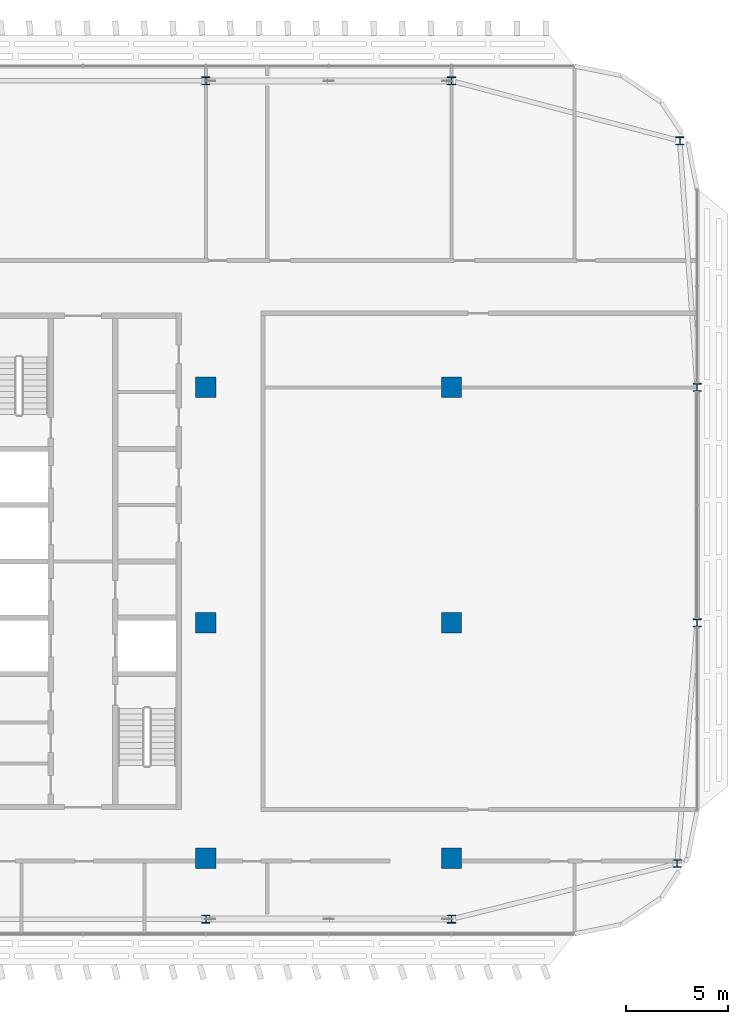
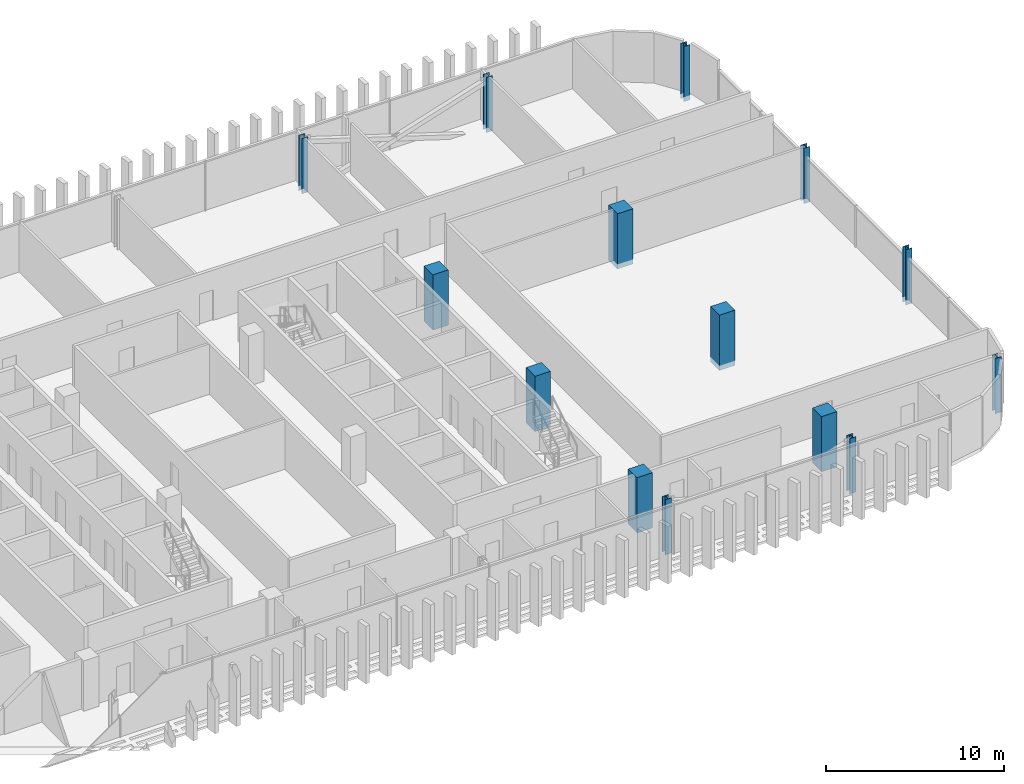
# One storey, part 4 of 34: 14 columns.
"""IFC4 building model written with IfcOpenShell, lengths in metres."""

from ifc_helpers import new_model, si_unit, direction, frame, origin, origin_2d, place, context, subcontext, project, spatial, rectangle, i_section, extrude, material, material_profile, profile_set, type_object, element, save


model = new_model("IFC4")

# Units and contexts
model_context = context("Model", 3, precision=1e-05, world=origin(), true_north=direction((0.0, 1.0)))
body_context = subcontext(model_context, "Body", "Model", "MODEL_VIEW")
ifc_project = project(units=[si_unit("LENGTHUNIT", "METRE"), si_unit("AREAUNIT", "SQUARE_METRE"), si_unit("VOLUMEUNIT", "CUBIC_METRE"), si_unit("PLANEANGLEUNIT", "RADIAN"), si_unit("MASSUNIT", "GRAM", prefix="KILO")], contexts=[model_context])

# Site, building, storey
site_placement = place(None, origin())
site = spatial("IfcSite", under=ifc_project, at=site_placement, CompositionType="ELEMENT")
building_placement = place(site_placement, origin())
building = spatial("IfcBuilding", under=site, at=building_placement, Name="Mahtab Terrace Research Tower", CompositionType="ELEMENT")
storey_placement = place(building_placement, frame((0.0, 0.0, 247.60009765625)))
storey = spatial("IfcBuildingStorey", under=building, at=storey_placement, Name="L60", CompositionType="ELEMENT", Elevation=247.60009765625)

# Columns
ifc_material_1 = material(Name="Concrete C70/85", Category="concrete")
ifc_material_profile_1 = material_profile(ifc_material_1, rectangle(XDim=1.0, YDim=1.0, at=origin_2d()), Name="RC column 1000x1000")
ifc_profile_set_1 = profile_set([ifc_material_profile_1], Name="Concrete C70/85")
column_type_1 = type_object("IfcColumnType", Name="RC column 1000x1000", PredefinedType="COLUMN", material=ifc_profile_set_1)
for number, where, z_axis, x_axis, name in (
    (1, (30.0, -11.5, -0.340087890625), (0.0, 0.0, 1.0), (1.0, 0.0, 0.0), "Column RC-7A L60"),
    (2, (30.0, 0.0, -0.340087890625), (0.0, 0.0, 1.0), (1.0, 0.0, 0.0), "Column RC-7B L60"),
    (3, (30.0, 11.5, -0.340087890625), (0.0, 0.0, 1.0), (1.0, 0.0, 0.0), "Column RC-7C L60"),
    (4, (42.0, -11.5, -0.340087890625), (0.0, 0.0, 1.0), (1.0, 0.0, 0.0), "Column RC-8A L60"),
    (5, (42.0, 0.0, -0.340087890625), (0.0, 0.0, 1.0), (1.0, 0.0, 0.0), "Column RC-8B L60"),
    (6, (42.0, 11.5, -0.340087890625), (0.0, 0.0, 1.0), (1.0, 0.0, 0.0), "Column RC-8C L60"),
):
    element("IfcColumn", number, at=place(storey_placement, frame(where, z_axis=z_axis, x_axis=x_axis)), inside=storey, type_object=column_type_1, Name=name, PredefinedType="COLUMN", context=body_context, shape_type="SweptSolid", body=[
        extrude(rectangle(XDim=1.0, YDim=1.0, at=origin_2d()), origin(), (0.0, 0.0, 1.0), 3.800048828125),
    ])
ifc_material_2 = material(Name="Steel ASTM A992 Gr 50", Category="steel")
ifc_material_profile_2 = material_profile(ifc_material_2, i_section(OverallWidth=0.398681640625, OverallDepth=0.385986328125, WebThickness=0.02099609375, FlangeThickness=0.033203125, at=origin_2d()), Name="W14X176")
ifc_profile_set_2 = profile_set([ifc_material_profile_2], Name="Steel ASTM A992 Gr 50")
column_type_2 = type_object("IfcColumnType", Name="W14x176 column CS14176", PredefinedType="COLUMN", material=ifc_profile_set_2)
for number, where, z_axis, x_axis, name in (
    (7, (53.154052734375, 23.5458984375, -0.340087890625), (0.0, 0.0, 1.0), (1.0, 0.0, 0.0), "Column SC-052 L60"),
    (8, (42.0, 26.472900390625, -0.340087890625), (0.0, 0.0, 1.0), (1.0, 0.0, 0.0), "Column SC-053 L60"),
    (9, (30.0, 26.472900390625, -0.340087890625), (0.0, 0.0, 1.0), (1.0, 0.0, 0.0), "Column SC-054 L60"),
    (10, (30.0, -14.472900390625, -0.340087890625), (0.0, 0.0, 1.0), (1.0, 0.0, 0.0), "Column SC-067 L60"),
    (11, (42.0, -14.472900390625, -0.340087890625), (0.0, 0.0, 1.0), (1.0, 0.0, 0.0), "Column SC-068 L60"),
    (12, (53.02099609375, -11.758056640625, -0.340087890625), (0.0, 0.0, 1.0), (1.0, 0.0, 0.0), "Column SC-069 L60"),
    (13, (54.0, 0.0, -0.340087890625), (0.0, 0.0, 1.0), (1.0, 0.0, 0.0), "Column SC-028 L60"),
    (14, (54.0, 11.5, -0.340087890625), (0.0, 0.0, 1.0), (1.0, 0.0, 0.0), "Column SC-029 L60"),
):
    element("IfcColumn", number, at=place(storey_placement, frame(where, z_axis=z_axis, x_axis=x_axis)), inside=storey, type_object=column_type_2, Name=name, PredefinedType="COLUMN", context=body_context, shape_type="SweptSolid", body=[
        extrude(i_section(OverallWidth=0.398681640625, OverallDepth=0.385986328125, WebThickness=0.02099609375, FlangeThickness=0.033203125, at=origin_2d()), origin(), (0.0, 0.0, 1.0), 3.800048828125),
    ])

save(model, "model.ifc")
